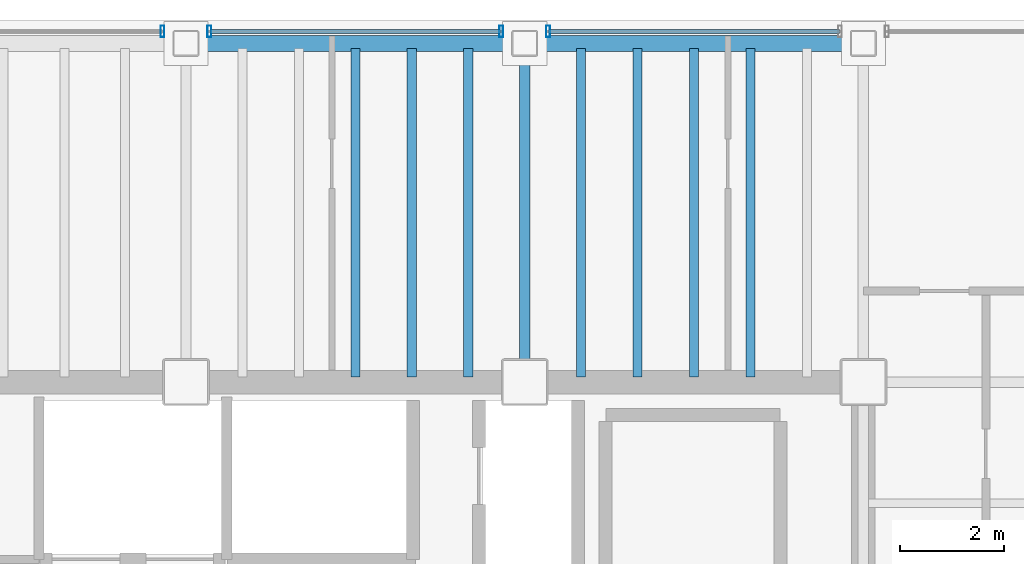
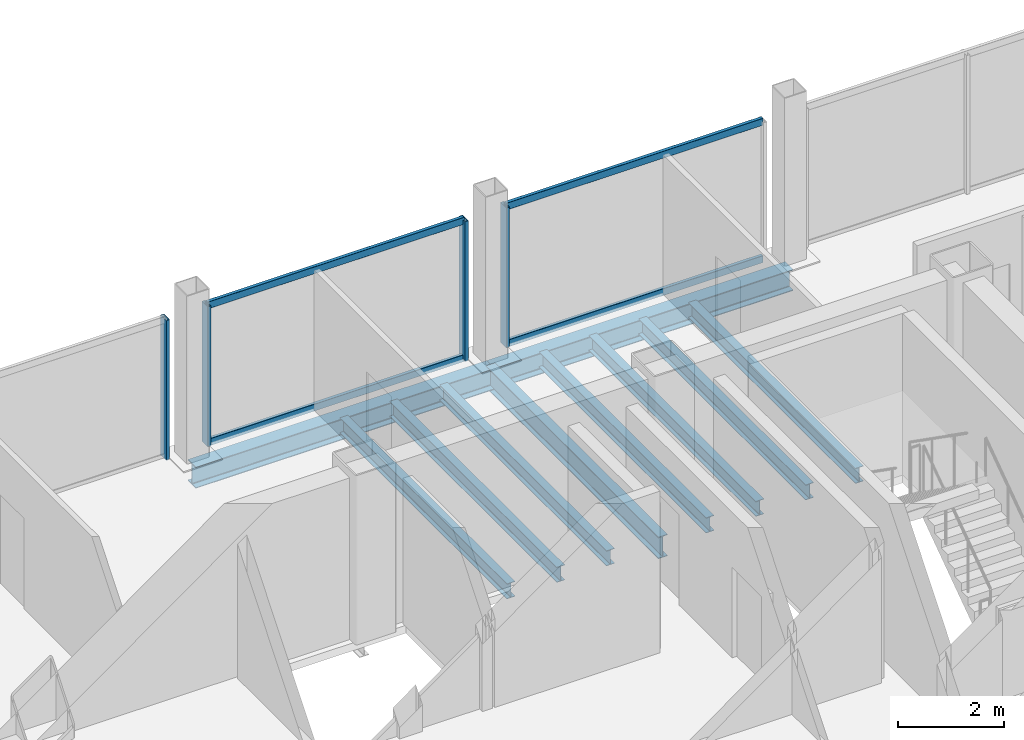
# One storey, part 9 of 16: 10 beams, 8 members, 3 elements without a shape of their own.
"""IFC4 building model written with IfcOpenShell, lengths in metres."""

from ifc_helpers import new_model, si_unit, direction, frame, origin, origin_2d, place, context, subcontext, project, spatial, hollow_rectangle, i_section, extrude, material, material_profile, profile_set, type_object, element, aggregate, save


model = new_model("IFC4")

# Units and contexts
model_context = context("Model", 3, precision=1e-05, world=origin(), true_north=direction((0.0, 1.0)))
body_context = subcontext(model_context, "Body", "Model", "MODEL_VIEW")
ifc_project = project(units=[si_unit("LENGTHUNIT", "METRE"), si_unit("AREAUNIT", "SQUARE_METRE"), si_unit("VOLUMEUNIT", "CUBIC_METRE"), si_unit("PLANEANGLEUNIT", "RADIAN"), si_unit("MASSUNIT", "GRAM", prefix="KILO")], contexts=[model_context])

# Site, building, storey
site_placement = place(None, origin())
site = spatial("IfcSite", under=ifc_project, at=site_placement, CompositionType="ELEMENT")
building_placement = place(site_placement, origin())
building = spatial("IfcBuilding", under=site, at=building_placement, Name="Noeulbin Bourse Tower", CompositionType="ELEMENT")
storey_placement = place(building_placement, frame((0.0, 0.0, 181.199951171875)))
storey = spatial("IfcBuildingStorey", under=building, at=storey_placement, Name="L45", CompositionType="ELEMENT", Elevation=181.199951171875)

# Beams
ifc_material_1 = material(Name="Steel S355", Category="steel")
ifc_material_profile_1 = material_profile(ifc_material_1, i_section(OverallWidth=0.199951171875, OverallDepth=0.5, WebThickness=0.010009765625, FlangeThickness=0.01611328125, FilletRadius=0.02001953125, at=origin_2d()), Name="H-500x200x10x16", Category="LoadBearing")
ifc_profile_set_1 = profile_set([ifc_material_profile_1], Name="Steel S355")
beam_type_1 = type_object("IfcBeamType", Name="BM-GRD-500", PredefinedType="USERDEFINED", material=ifc_profile_set_1)
beam_placement = place(storey_placement, frame((37.5, 38.300048828125, -0.429931640625), z_axis=(0.0, 1.0, 0.0), x_axis=(-1.0, 0.0, 0.0)))
element("IfcBeam", 1, at=beam_placement, inside=storey, type_object=beam_type_1, Name="Tower Primary Girder NS L45-4.4", ObjectType="GIRDER", PredefinedType="USERDEFINED", context=body_context, shape_type="SweptSolid", body=[
    extrude(i_section(OverallWidth=0.199951171875, OverallDepth=0.5, WebThickness=0.010009765625, FlangeThickness=0.01611328125, FilletRadius=0.02001953125, at=origin_2d()), origin(), (0.0, 0.0, 1.0), 6.5),
])
ifc_material_profile_2 = material_profile(ifc_material_1, i_section(OverallWidth=0.175048828125, OverallDepth=0.35009765625, WebThickness=0.007080078125, FlangeThickness=0.010986328125, FilletRadius=0.013916015625, at=origin_2d()), Name="H-350x175x7x11", Category="LoadBearing")
ifc_profile_set_2 = profile_set([ifc_material_profile_2], Name="Steel S355")
beam_type_2 = type_object("IfcBeamType", Name="BM-JST-350", PredefinedType="JOIST", material=ifc_profile_set_2)
for number, where, z_axis, x_axis, name in (
    (2, (34.25, 38.39990234375, -0.35498046875), (0.0, 1.0, 0.0), (-1.0, 0.0, 0.0), "Tower Composite Joist L45-45"),
    (3, (35.333251953125, 38.39990234375, -0.35498046875), (0.0, 1.0, 0.0), (-1.0, 0.0, 0.0), "Tower Composite Joist L45-48"),
    (4, (36.416748046875, 38.39990234375, -0.35498046875), (0.0, 1.0, 0.0), (-1.0, 0.0, 0.0), "Tower Composite Joist L45-51"),
    (5, (38.583251953125, 38.39990234375, -0.35498046875), (0.0, 1.0, 0.0), (-1.0, 0.0, 0.0), "Tower Composite Joist L45-54"),
    (6, (39.666748046875, 38.39990234375, -0.35498046875), (0.0, 1.0, 0.0), (-1.0, 0.0, 0.0), "Tower Composite Joist L45-57"),
    (7, (40.75, 38.39990234375, -0.35498046875), (0.0, 1.0, 0.0), (-1.0, 0.0, 0.0), "Tower Composite Joist L45-60"),
    (8, (41.833251953125, 38.39990234375, -0.35498046875), (0.0, 1.0, 0.0), (-1.0, 0.0, 0.0), "Tower Composite Joist L45-63"),
):
    element("IfcBeam", number, at=place(storey_placement, frame(where, z_axis=z_axis, x_axis=x_axis)), inside=storey, type_object=beam_type_2, Name=name, PredefinedType="JOIST", context=body_context, shape_type="SweptSolid", body=[
        extrude(i_section(OverallWidth=0.175048828125, OverallDepth=0.35009765625, WebThickness=0.007080078125, FlangeThickness=0.010986328125, FilletRadius=0.013916015625, at=origin_2d()), origin(), (0.0, 0.0, 1.0), 6.300048828125),
    ])
ifc_material_profile_3 = material_profile(ifc_material_1, i_section(OverallWidth=0.300048828125, OverallDepth=0.488037109375, WebThickness=0.010986328125, FlangeThickness=0.01806640625, FilletRadius=0.02197265625, at=origin_2d()), Name="H-488x300x11x18", Category="LoadBearing")
ifc_profile_set_3 = profile_set([ifc_material_profile_3], Name="Steel S355")
beam_type_3 = type_object("IfcBeamType", Name="BM-SPN-488", PredefinedType="SPANDREL", material=ifc_profile_set_3)
for number, where, z_axis, x_axis, name in (
    (9, (31.0, 44.800048828125, -0.424072265625), (1.0, 0.0, 0.0), (0.0, 1.0, 0.0), "North Spandrel L45-3"),
    (10, (37.5, 44.800048828125, -0.424072265625), (1.0, 0.0, 0.0), (0.0, 1.0, 0.0), "North Spandrel L45-4"),
):
    element("IfcBeam", number, at=place(storey_placement, frame(where, z_axis=z_axis, x_axis=x_axis)), inside=storey, type_object=beam_type_3, Name=name, PredefinedType="SPANDREL", context=body_context, shape_type="SweptSolid", body=[
        extrude(i_section(OverallWidth=0.300048828125, OverallDepth=0.488037109375, WebThickness=0.010986328125, FlangeThickness=0.01806640625, FilletRadius=0.02197265625, at=origin_2d()), origin(), (0.0, 0.0, 1.0), 6.5),
    ])

# Curtain wall, member
ifc_material_2 = material(Name="Dark Tinted Triple Glazing", Category="glass")
curtain_wall_type = type_object("IfcCurtainWallType", Name="CW-SYS-3", PredefinedType="NOTDEFINED", material=ifc_material_2)
curtain_wall_1_placement = place(storey_placement, origin())
curtain_wall_1 = element("IfcCurtainWall", 11, at=curtain_wall_1_placement, inside=storey, type_object=curtain_wall_type, Name="Unitised Curtain Wall CW-L45-N-S2", PredefinedType="NOTDEFINED")
ifc_material_3 = material(Name="Anodised Aluminium 6063-T6", Category="aluminium")
ifc_material_profile_4 = material_profile(ifc_material_3, hollow_rectangle(XDim=0.074951171875, YDim=0.219970703125, WallThickness=0.0048828125, InnerFilletRadius=0.00244140625, OuterFilletRadius=0.0048828125, at=origin_2d()), Name="ALU-MULL-75x220x5", Category="LoadBearing")
ifc_profile_set_4 = profile_set([ifc_material_profile_4], Name="Anodised Aluminium 6063-T6")
member_type_1 = type_object("IfcMemberType", Name="CW-SYS-3-MUL", PredefinedType="MULLION", material=ifc_profile_set_4)
member_1_placement = place(storey_placement, frame((30.550048828125, 45.030029296875, -0.02001953125), z_axis=(0.0, 0.0, 1.0), x_axis=(1.0, 0.0, 0.0)))
member_1 = element("IfcMember", 12, at=member_1_placement, type_object=member_type_1, Name="Curtain Wall Mullion CW-L45-N-S2-M01", PredefinedType="MULLION", context=body_context, shape_type="SweptSolid", body=[
    extrude(hollow_rectangle(XDim=0.074951171875, YDim=0.219970703125, WallThickness=0.0048828125, InnerFilletRadius=0.00244140625, OuterFilletRadius=0.0048828125, at=origin_2d()), origin(), (0.0, 0.0, 1.0), 3.219970703125),
])
aggregate(curtain_wall_1, [member_1])

# Curtain wall, members
curtain_wall_2_placement = place(storey_placement, origin())
curtain_wall_2 = element("IfcCurtainWall", 13, at=curtain_wall_2_placement, inside=storey, type_object=curtain_wall_type, Name="Unitised Curtain Wall CW-L45-N-S3", PredefinedType="NOTDEFINED")
member_2_placement = place(storey_placement, frame((31.449951171875, 45.030029296875, -0.02001953125), z_axis=(0.0, 0.0, 1.0), x_axis=(1.0, 0.0, 0.0)))
member_2 = element("IfcMember", 14, at=member_2_placement, type_object=member_type_1, Name="Curtain Wall Mullion CW-L45-N-S3-M00", PredefinedType="MULLION", context=body_context, shape_type="SweptSolid", body=[
    extrude(hollow_rectangle(XDim=0.074951171875, YDim=0.219970703125, WallThickness=0.0048828125, InnerFilletRadius=0.00244140625, OuterFilletRadius=0.0048828125, at=origin_2d()), origin(), (0.0, 0.0, 1.0), 3.219970703125),
])
member_3_placement = place(storey_placement, frame((37.050048828125, 45.030029296875, -0.02001953125), z_axis=(0.0, 0.0, 1.0), x_axis=(1.0, 0.0, 0.0)))
member_3 = element("IfcMember", 15, at=member_3_placement, type_object=member_type_1, Name="Curtain Wall Mullion CW-L45-N-S3-M01", PredefinedType="MULLION", context=body_context, shape_type="SweptSolid", body=[
    extrude(hollow_rectangle(XDim=0.074951171875, YDim=0.219970703125, WallThickness=0.0048828125, InnerFilletRadius=0.00244140625, OuterFilletRadius=0.0048828125, at=origin_2d()), origin(), (0.0, 0.0, 1.0), 3.219970703125),
])

# Curtain wall, member
curtain_wall_3_placement = place(storey_placement, origin())
curtain_wall_3 = element("IfcCurtainWall", 16, at=curtain_wall_3_placement, inside=storey, type_object=curtain_wall_type, Name="Unitised Curtain Wall CW-L45-N-S4", PredefinedType="NOTDEFINED")
member_4_placement = place(storey_placement, frame((37.949951171875, 45.030029296875, -0.02001953125), z_axis=(0.0, 0.0, 1.0), x_axis=(1.0, 0.0, 0.0)))
member_4 = element("IfcMember", 17, at=member_4_placement, type_object=member_type_1, Name="Curtain Wall Mullion CW-L45-N-S4-M00", PredefinedType="MULLION", context=body_context, shape_type="SweptSolid", body=[
    extrude(hollow_rectangle(XDim=0.074951171875, YDim=0.219970703125, WallThickness=0.0048828125, InnerFilletRadius=0.00244140625, OuterFilletRadius=0.0048828125, at=origin_2d()), origin(), (0.0, 0.0, 1.0), 3.219970703125),
])

# Member
ifc_material_profile_5 = material_profile(ifc_material_3, hollow_rectangle(XDim=0.074951171875, YDim=0.159912109375, WallThickness=0.0048828125, InnerFilletRadius=0.00244140625, OuterFilletRadius=0.0048828125, at=origin_2d()), Name="ALU-TRAN-75x160x5", Category="LoadBearing")
ifc_profile_set_5 = profile_set([ifc_material_profile_5], Name="Anodised Aluminium 6063-T6")
member_type_2 = type_object("IfcMemberType", Name="CW-SYS-3-TRN", PredefinedType="USERDEFINED", material=ifc_profile_set_5)
member_5_placement = place(storey_placement, frame((31.4599609375, 45.030029296875, 0.010009765625), z_axis=(1.0, 0.0, 0.0), x_axis=(0.0, 1.0, 0.0)))
member_5 = element("IfcMember", 18, at=member_5_placement, type_object=member_type_2, Name="Curtain Wall Transom CW-L45-N-S3-T00", ObjectType="TRANSOM", PredefinedType="USERDEFINED", context=body_context, shape_type="SweptSolid", body=[
    extrude(hollow_rectangle(XDim=0.074951171875, YDim=0.159912109375, WallThickness=0.0048828125, InnerFilletRadius=0.00244140625, OuterFilletRadius=0.0048828125, at=origin_2d()), origin(), (0.0, 0.0, 1.0), 5.580078125),
])

member_6_placement = place(storey_placement, frame((31.4599609375, 45.030029296875, 3.170166015625), z_axis=(1.0, 0.0, 0.0), x_axis=(0.0, 1.0, 0.0)))
member_6 = element("IfcMember", 19, at=member_6_placement, type_object=member_type_2, Name="Curtain Wall Transom CW-L45-N-S3-T01", ObjectType="TRANSOM", PredefinedType="USERDEFINED", context=body_context, shape_type="SweptSolid", body=[
    extrude(hollow_rectangle(XDim=0.074951171875, YDim=0.159912109375, WallThickness=0.0048828125, InnerFilletRadius=0.00244140625, OuterFilletRadius=0.0048828125, at=origin_2d()), origin(), (0.0, 0.0, 1.0), 5.580078125),
])

aggregate(curtain_wall_2, [member_2, member_3, member_5, member_6])

member_7_placement = place(storey_placement, frame((37.9599609375, 45.030029296875, 0.010009765625), z_axis=(1.0, 0.0, 0.0), x_axis=(0.0, 1.0, 0.0)))
member_7 = element("IfcMember", 20, at=member_7_placement, type_object=member_type_2, Name="Curtain Wall Transom CW-L45-N-S4-T00", ObjectType="TRANSOM", PredefinedType="USERDEFINED", context=body_context, shape_type="SweptSolid", body=[
    extrude(hollow_rectangle(XDim=0.074951171875, YDim=0.159912109375, WallThickness=0.0048828125, InnerFilletRadius=0.00244140625, OuterFilletRadius=0.0048828125, at=origin_2d()), origin(), (0.0, 0.0, 1.0), 5.580078125),
])

member_8_placement = place(storey_placement, frame((37.9599609375, 45.030029296875, 3.170166015625), z_axis=(1.0, 0.0, 0.0), x_axis=(0.0, 1.0, 0.0)))
member_8 = element("IfcMember", 21, at=member_8_placement, type_object=member_type_2, Name="Curtain Wall Transom CW-L45-N-S4-T01", ObjectType="TRANSOM", PredefinedType="USERDEFINED", context=body_context, shape_type="SweptSolid", body=[
    extrude(hollow_rectangle(XDim=0.074951171875, YDim=0.159912109375, WallThickness=0.0048828125, InnerFilletRadius=0.00244140625, OuterFilletRadius=0.0048828125, at=origin_2d()), origin(), (0.0, 0.0, 1.0), 5.580078125),
])

aggregate(curtain_wall_3, [member_4, member_7, member_8])

save(model, "model.ifc")
